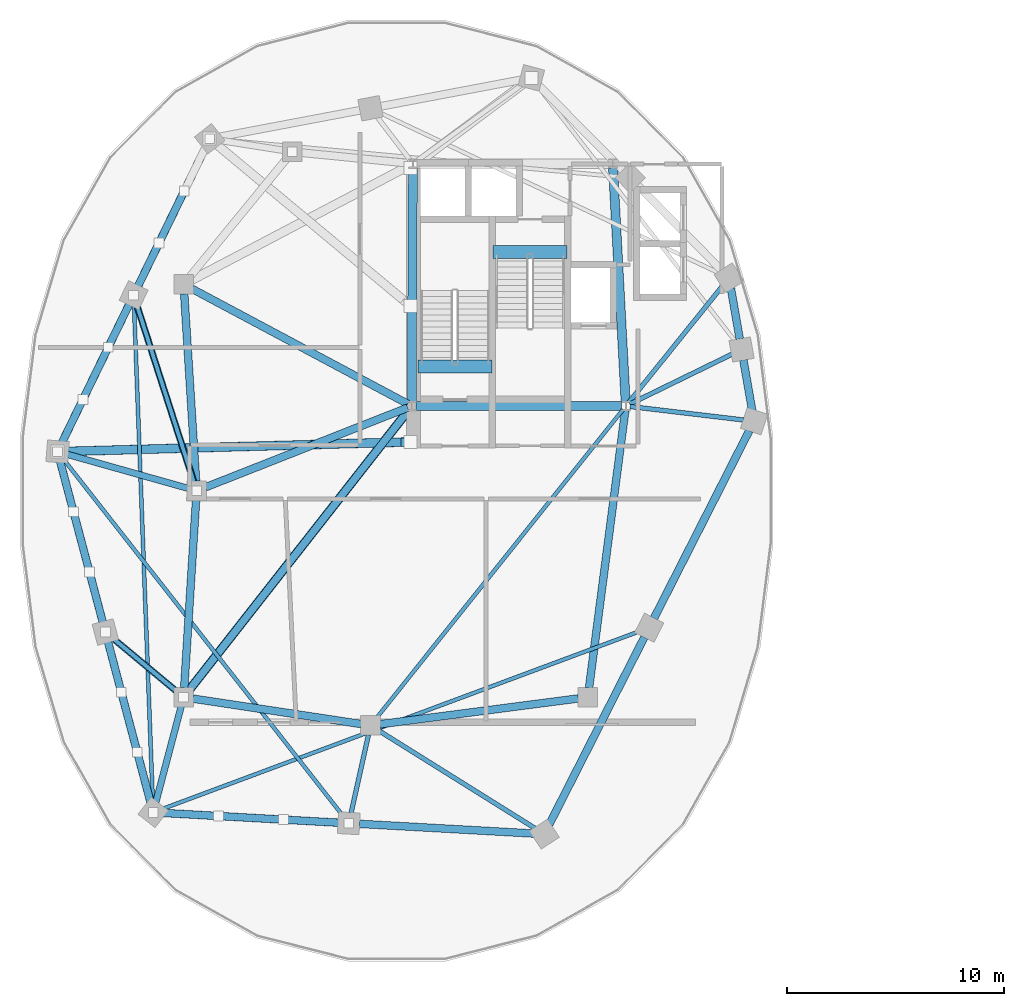
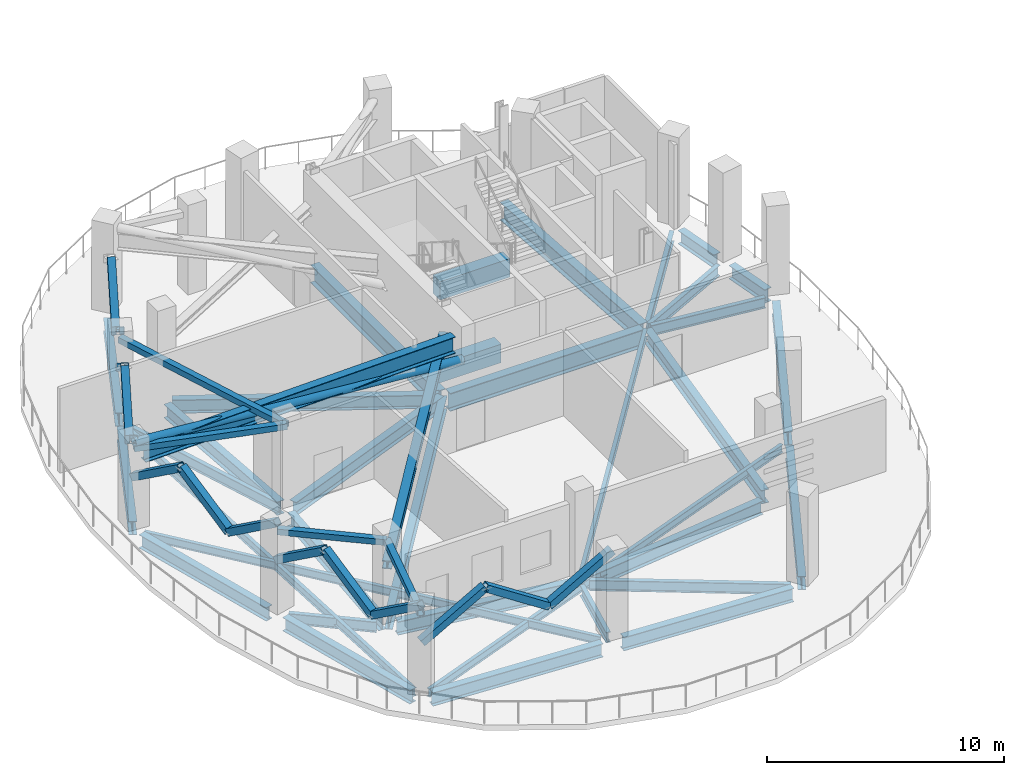
# One storey, part 3 of 14: 35 beams, 20 members.
"""IFC4 building model written with IfcOpenShell, lengths in metres."""

import ifcopenshell
import ifcopenshell.guid

model = None  # the IFC model being written
_history = None  # IfcOwnerHistory: only IFC2X3 demands one
_inside = {}  # id of a spatial element -> (the spatial element, [elements in it])
_under = {}  # id of a project, library or spatial element -> (it, [spatial elements below it])
_declared = {}  # id of a project -> (the project, [libraries it declares])
_typed = {}  # id of a type object -> (the type object, [elements of that type])
_made_of = {}  # id of a material, layer set ... -> (it, [elements and type objects made of it])


def new_model(schema):
    """Start an empty IFC model of exactly this schema.

    Asked for "IFC4X3", IfcOpenShell would pick the latest addendum, in which some entities
    have other attributes; the version numbers below select the first issue.
    IFC2X3 requires an IfcOwnerHistory on every rooted entity: one is made here for all.
    """
    global model, _history
    if schema == "IFC4X3":
        model = ifcopenshell.file(schema_version=(4, 3, 0, 0))
    else:
        model = ifcopenshell.file(schema=schema)
    _inside.clear()
    _under.clear()
    _declared.clear()
    _typed.clear()
    _made_of.clear()
    _history = None
    if model.schema == "IFC2X3":
        org = make("IfcOrganization", Name="unknown")
        user = make(
            "IfcPersonAndOrganization",
            ThePerson=make("IfcPerson", FamilyName="unknown"),
            TheOrganization=org,
        )
        app = make(
            "IfcApplication",
            ApplicationDeveloper=org,
            Version="unknown",
            ApplicationFullName="unknown",
            ApplicationIdentifier="unknown",
        )
        _history = make(
            "IfcOwnerHistory",
            OwningUser=user,
            OwningApplication=app,
            ChangeAction="ADDED",
            CreationDate=0,
        )
    return model


def make(cls, **values):
    """One entity of the class cls with the attributes given. An attribute that is None is left unset."""
    return model.create_entity(
        cls, **{name: value for name, value in values.items() if value is not None}
    )


def rooted(cls, **values):
    """An entity with a GlobalId (a new one), such as an element, a storey or a relation."""
    return make(cls, GlobalId=ifcopenshell.guid.new(), OwnerHistory=_history, **values)


def si_unit(unit_type, name, prefix=None):
    """IfcSIUnit, for example si_unit("LENGTHUNIT", "METRE", prefix="MILLI")."""
    return make("IfcSIUnit", UnitType=unit_type, Prefix=prefix, Name=name)


def assignment(units):
    """IfcUnitAssignment: the units of a project."""
    return None if units is None else make("IfcUnitAssignment", Units=units)


def point(xyz):
    """IfcCartesianPoint."""
    return None if xyz is None else make("IfcCartesianPoint", Coordinates=xyz)


def direction(xyz):
    """IfcDirection."""
    return None if xyz is None else make("IfcDirection", DirectionRatios=xyz)


def frame(location, z_axis=None, x_axis=None):
    """IfcAxis2Placement3D, a coordinate frame: its origin and axes. An axis left out is left unset."""
    return make(
        "IfcAxis2Placement3D",
        Location=point(location),
        Axis=direction(z_axis),
        RefDirection=direction(x_axis),
    )


def frame_2d(location, x_axis=None):
    """IfcAxis2Placement2D, a coordinate frame in the plane: its origin and x axis."""
    return make(
        "IfcAxis2Placement2D", Location=point(location), RefDirection=direction(x_axis)
    )


def origin():
    """The frame at (0, 0, 0) with its axes left unset."""
    return frame((0.0, 0.0, 0.0))


def origin_2d():
    """The frame at (0, 0) in the plane with its x axis left unset."""
    return frame_2d((0.0, 0.0))


def place(relative_to, where):
    """IfcLocalPlacement: puts the frame where relative to a parent placement (None: the world)."""
    return make(
        "IfcLocalPlacement", PlacementRelTo=relative_to, RelativePlacement=where
    )


def context(
    kind, dimensions, precision=None, world=None, true_north=None, identifier=None
):
    """IfcGeometricRepresentationContext, for example the 3D "Model" context."""
    return make(
        "IfcGeometricRepresentationContext",
        ContextIdentifier=identifier,
        ContextType=kind,
        CoordinateSpaceDimension=dimensions,
        Precision=precision,
        WorldCoordinateSystem=world,
        TrueNorth=true_north,
    )


def subcontext(parent, identifier, kind, view, scale=None):
    """IfcGeometricRepresentationSubContext, for example "Body" below "Model"."""
    return make(
        "IfcGeometricRepresentationSubContext",
        ContextIdentifier=identifier,
        ContextType=kind,
        ParentContext=parent,
        TargetScale=scale,
        TargetView=view,
    )


def project(units=None, contexts=None):
    """IfcProject with its units and contexts."""
    return rooted(
        "IfcProject",
        Name="project",
        RepresentationContexts=contexts,
        UnitsInContext=assignment(units),
    )


def spatial(cls, under=None, at=None, **own):
    """A site, building, storey or space (cls), placed at a placement, below another one or the project."""
    s = rooted(cls, ObjectPlacement=at, **own)
    if under is not None:
        _under.setdefault(under.id(), (under, []))[1].append(s)
    return s


def profile(cls, at=None, kind="AREA", **sizes):
    """A parametric profile (cls). Its sizes go by their IFC names, for example OverallWidth=200.0."""
    return make(cls, ProfileType=kind, Position=at, **sizes)


def rectangle(**sizes):
    """IfcRectangleProfileDef."""
    return profile("IfcRectangleProfileDef", **sizes)


def hollow_rectangle(**sizes):
    """IfcRectangleHollowProfileDef."""
    return profile("IfcRectangleHollowProfileDef", **sizes)


def hollow_circle(**sizes):
    """IfcCircleHollowProfileDef."""
    return profile("IfcCircleHollowProfileDef", **sizes)


def i_section(**sizes):
    """IfcIShapeProfileDef."""
    return profile("IfcIShapeProfileDef", **sizes)


def extrude(swept, where, along, depth):
    """IfcExtrudedAreaSolid: the profile swept, set in the frame where, extruded along a direction by depth."""
    return make(
        "IfcExtrudedAreaSolid",
        SweptArea=swept,
        Position=where,
        ExtrudedDirection=direction(along),
        Depth=depth,
    )


def shape(context_of_items, identifier, shape_type, items):
    """IfcShapeRepresentation: the items that make up one representation, for example the "Body"."""
    return make(
        "IfcShapeRepresentation",
        ContextOfItems=context_of_items,
        RepresentationIdentifier=identifier,
        RepresentationType=shape_type,
        Items=items,
    )


def material(Name=None, Category=None):
    """IfcMaterial."""
    return make("IfcMaterial", Name=Name, Category=Category)


def material_profile(
    of_material, cross_section, Name=None, Category=None, Priority=None
):
    """IfcMaterialProfile: a cross section and its material."""
    return make(
        "IfcMaterialProfile",
        Name=Name,
        Material=of_material,
        Profile=cross_section,
        Priority=Priority,
        Category=Category,
    )


def profile_set(profiles, Name=None, composite=None):
    """IfcMaterialProfileSet."""
    return make(
        "IfcMaterialProfileSet",
        Name=Name,
        MaterialProfiles=profiles,
        CompositeProfile=composite,
    )


def made_of(thing, what):
    """Note that an element or type object is made of a material, layer set ...; save() writes the relation."""
    if what is not None:
        _made_of.setdefault(what.id(), (what, []))[1].append(thing)
    return thing


def type_object(cls, material=None, **own):
    """A type object (cls), such as IfcWallType, which elements share."""
    return made_of(rooted(cls, **own), material)


def element(
    cls,
    number,
    at=None,
    inside=None,
    cuts=None,
    type_object=None,
    material=None,
    context=None,
    identifier="Body",
    shape_type=None,
    held_by="IfcProductDefinitionShape",
    body=None,
    shapes=None,
    **own,
):
    """One element of the class cls, such as IfcWall. Its Tag is "e" and its number.

    at: its placement. inside: the storey or other place that contains it. cuts: it is an
    opening in that element (IfcRelVoidsElement). A single representation is given by context,
    identifier, shape_type and body (its items); several are given by shapes. held_by: the class
    of the entity that holds the representations. save() writes the other relations.
    """
    e = rooted(cls, Tag="e%d" % number, ObjectPlacement=at, **own)
    if body is not None:
        shapes = [shape(context, identifier, shape_type, body)]
    if shapes is not None:
        e.Representation = make(held_by, Representations=shapes)
    if inside is not None:
        _inside.setdefault(inside.id(), (inside, []))[1].append(e)
    if cuts is not None:
        rooted(
            "IfcRelVoidsElement", RelatingBuildingElement=cuts, RelatedOpeningElement=e
        )
    if type_object is not None:
        _typed.setdefault(type_object.id(), (type_object, []))[1].append(e)
    return made_of(e, material)


def aggregate(whole, parts):
    """IfcRelAggregates: a whole, such as a stair, and the parts it consists of."""
    return rooted("IfcRelAggregates", RelatingObject=whole, RelatedObjects=parts)


def save(model, path):
    """Write the relations noted so far, then the file.

    IfcRelAggregates (storeys below a building ...), IfcRelContainedInSpatialStructure (elements
    in a storey), IfcRelDefinesByType, IfcRelAssociatesMaterial and IfcRelDeclares: one each for
    every whole, place, type object, material and project.
    """
    for whole, parts in _under.values():
        aggregate(whole, parts)
    for where, things in _inside.values():
        rooted(
            "IfcRelContainedInSpatialStructure",
            RelatedElements=things,
            RelatingStructure=where,
        )
    for kind, things in _typed.values():
        rooted("IfcRelDefinesByType", RelatedObjects=things, RelatingType=kind)
    for what, things in _made_of.values():
        rooted("IfcRelAssociatesMaterial", RelatedObjects=things, RelatingMaterial=what)
    for by, libraries in _declared.values():
        rooted("IfcRelDeclares", RelatingContext=by, RelatedDefinitions=libraries)
    model.write(path)


model = new_model("IFC4")

# Units and contexts
model_context = context("Model", 3, precision=1e-05, world=origin(), true_north=direction((0.0, 1.0)))
body_context = subcontext(model_context, "Body", "Model", "MODEL_VIEW")
ifc_project = project(units=[si_unit("LENGTHUNIT", "METRE"), si_unit("AREAUNIT", "SQUARE_METRE"), si_unit("VOLUMEUNIT", "CUBIC_METRE"), si_unit("PLANEANGLEUNIT", "RADIAN"), si_unit("MASSUNIT", "GRAM", prefix="KILO"), si_unit("THERMODYNAMICTEMPERATUREUNIT", "KELVIN"), si_unit("POWERUNIT", "WATT")], contexts=[model_context])

# Site, building, storey
site_placement = place(None, origin())
site = spatial("IfcSite", under=ifc_project, at=site_placement, CompositionType="ELEMENT")
building_placement = place(site_placement, origin())
building = spatial("IfcBuilding", under=site, at=building_placement, Name="Cundina Bronze Exchange", CompositionType="ELEMENT")
storey_placement = place(building_placement, frame((0.0, 0.0, 187.199951171875)))
storey = spatial("IfcBuildingStorey", under=building, at=storey_placement, Name="L49", CompositionType="ELEMENT", Elevation=187.199951171875)

# Beams
ifc_material_1 = material(Name="Concrete C60/75", Category="concrete")
ifc_material_profile_1 = material_profile(ifc_material_1, rectangle(XDim=0.60009765625, YDim=0.949951171875, at=origin_2d()), Name="RC600X950", Category="concrete")
ifc_profile_set_1 = profile_set([ifc_material_profile_1], Name="Concrete C60/75")
beam_type_1 = type_object("IfcBeamType", Name="BM-COUP-RC950", PredefinedType="LINTEL", material=ifc_profile_set_1)
beam_1_placement = place(storey_placement, frame((-31.02001953125, 5.719970703125, -0.474853515625), z_axis=(1.0, 0.0, 0.0), x_axis=(0.0, 1.0, 0.0)))
element("IfcBeam", 1, at=beam_1_placement, inside=storey, type_object=beam_type_1, Name="L49 Stair W1 Landing Header Beam", PredefinedType="LINTEL", context=body_context, shape_type="SweptSolid", body=[
    extrude(rectangle(XDim=0.60009765625, YDim=0.949951171875, at=origin_2d()), origin(), (0.0, 0.0, 1.0), 3.39990234375),
])
beam_2_placement = place(storey_placement, frame((-27.56005859375, 10.97998046875, -0.474853515625), z_axis=(1.0, 0.0, 0.0), x_axis=(0.0, 1.0, 0.0)))
element("IfcBeam", 2, at=beam_2_placement, inside=storey, type_object=beam_type_1, Name="L49 Stair W2 Landing Header Beam", PredefinedType="LINTEL", context=body_context, shape_type="SweptSolid", body=[
    extrude(rectangle(XDim=0.60009765625, YDim=0.949951171875, at=origin_2d()), origin(), (0.0, 0.0, 1.0), 3.400146484375),
])
ifc_material_2 = material(Name="Steel ASTM A992 Grade 50", Category="steel")
ifc_material_profile_2 = material_profile(ifc_material_2, i_section(OverallWidth=0.2119140625, OverallDepth=0.5439453125, WebThickness=0.01318359375, FlangeThickness=0.021240234375, FilletRadius=0.013916015625, at=origin_2d()), Name="W21X83", Category="steel")
ifc_profile_set_2 = profile_set([ifc_material_profile_2], Name="Steel ASTM A992 Grade 50")
beam_type_2 = type_object("IfcBeamType", Name="BM-FLR-W21A", PredefinedType="BEAM", material=ifc_profile_set_2)
beam_3_placement = place(storey_placement, frame((-21.247314453125, 3.8759765625, -0.552001953125), z_axis=(0.993036158382, -0.11780996624, 0.0), x_axis=(0.11780996624, 0.993036158382, 0.0)))
element("IfcBeam", 3, at=beam_3_placement, inside=storey, type_object=beam_type_2, Name="L49 Leg W Radial Floor Beam 00", PredefinedType="BEAM", context=body_context, shape_type="SweptSolid", body=[
    extrude(i_section(OverallWidth=0.2119140625, OverallDepth=0.5439453125, WebThickness=0.01318359375, FlangeThickness=0.021240234375, FilletRadius=0.013916015625, at=origin_2d()), origin(), (0.0, 0.0, 1.0), 5.249267578125),
])
beam_4_placement = place(storey_placement, frame((-21.2666015625, 3.989501953125, -0.552001953125), z_axis=(0.898604300669, 0.438759969481, 0.0), x_axis=(-0.438759969481, 0.898604300669, 0.0)))
element("IfcBeam", 4, at=beam_4_placement, inside=storey, type_object=beam_type_2, Name="L49 Leg W Radial Floor Beam 01", PredefinedType="BEAM", context=body_context, shape_type="SweptSolid", body=[
    extrude(i_section(OverallWidth=0.2119140625, OverallDepth=0.5439453125, WebThickness=0.01318359375, FlangeThickness=0.021240234375, FilletRadius=0.013916015625, at=origin_2d()), origin(), (0.0, 0.0, 1.0), 5.23388671875),
])
beam_5_placement = place(storey_placement, frame((-21.322021484375, 4.058837890625, -0.552001953125), z_axis=(0.627088684379, 0.778947868553, 0.0), x_axis=(-0.778947868553, 0.627088684379, 0.0)))
element("IfcBeam", 5, at=beam_5_placement, inside=storey, type_object=beam_type_2, Name="L49 Leg W Radial Floor Beam 02", PredefinedType="BEAM", context=body_context, shape_type="SweptSolid", body=[
    extrude(i_section(OverallWidth=0.2119140625, OverallDepth=0.5439453125, WebThickness=0.01318359375, FlangeThickness=0.021240234375, FilletRadius=0.013916015625, at=origin_2d()), origin(), (0.0, 0.0, 1.0), 6.882568359375),
])
beam_6_placement = place(storey_placement, frame((-41.334228515625, 0.4169921875, -0.552001953125), z_axis=(-0.30669751302, 0.951807036908, 0.0), x_axis=(-0.951807036908, -0.30669751302, 0.0)))
element("IfcBeam", 6, at=beam_6_placement, inside=storey, type_object=beam_type_2, Name="L49 Leg W Radial Floor Beam 07", PredefinedType="BEAM", context=body_context, shape_type="SweptSolid", body=[
    extrude(i_section(OverallWidth=0.2119140625, OverallDepth=0.5439453125, WebThickness=0.01318359375, FlangeThickness=0.021240234375, FilletRadius=0.013916015625, at=origin_2d()), origin(), (0.0, 0.0, 1.0), 8.529541015625),
])
beam_7_placement = place(storey_placement, frame((-42.136474609375, -9.219482421875, -0.552001953125), z_axis=(-0.768253211489, 0.640146079451, 0.0), x_axis=(-0.640146079451, -0.768253211489, 0.0)))
element("IfcBeam", 7, at=beam_7_placement, inside=storey, type_object=beam_type_2, Name="L49 Leg W Radial Floor Beam 09", PredefinedType="BEAM", context=body_context, shape_type="SweptSolid", body=[
    extrude(i_section(OverallWidth=0.2119140625, OverallDepth=0.5439453125, WebThickness=0.01318359375, FlangeThickness=0.021240234375, FilletRadius=0.013916015625, at=origin_2d()), origin(), (0.0, 0.0, 1.0), 3.760009765625),
])
beam_8_placement = place(storey_placement, frame((-33.294921875, -11.2275390625, -0.552001953125), z_axis=(-0.216923440287, -0.976188619609, 0.0), x_axis=(0.976188619609, -0.216923440287, 0.0)))
element("IfcBeam", 8, at=beam_8_placement, inside=storey, type_object=beam_type_2, Name="L49 Leg W Radial Floor Beam 11", PredefinedType="BEAM", context=body_context, shape_type="SweptSolid", body=[
    extrude(i_section(OverallWidth=0.2119140625, OverallDepth=0.5439453125, WebThickness=0.01318359375, FlangeThickness=0.021240234375, FilletRadius=0.013916015625, at=origin_2d()), origin(), (0.0, 0.0, 1.0), 3.68359375),
])
beam_9_placement = place(storey_placement, frame((-32.82861328125, -11.031982421875, -0.552001953125), z_axis=(0.847985407265, -0.530019574228, 0.0), x_axis=(0.530019574228, 0.847985407265, 0.0)))
element("IfcBeam", 9, at=beam_9_placement, inside=storey, type_object=beam_type_2, Name="L49 Leg W Radial Floor Beam 12", PredefinedType="BEAM", context=body_context, shape_type="SweptSolid", body=[
    extrude(i_section(OverallWidth=0.2119140625, OverallDepth=0.5439453125, WebThickness=0.01318359375, FlangeThickness=0.021240234375, FilletRadius=0.013916015625, at=origin_2d()), origin(), (0.0, 0.0, 1.0), 8.50830078125),
])
ifc_material_profile_3 = material_profile(ifc_material_2, i_section(OverallWidth=0.178955078125, OverallDepth=0.409912109375, WebThickness=0.0087890625, FlangeThickness=0.014404296875, FilletRadius=0.010986328125, at=origin_2d()), Name="W16X45", Category="steel")
ifc_profile_set_3 = profile_set([ifc_material_profile_3], Name="Steel ASTM A992 Grade 50")
beam_type_3 = type_object("IfcBeamType", Name="BM-JST-W16", PredefinedType="JOIST", material=ifc_profile_set_3)
beam_10_placement = place(storey_placement, frame((-21.577392578125, 3.740478515625, -0.48486328125), z_axis=(-0.624370675223, -0.781128196854, 0.0), x_axis=(0.781128196854, -0.624370675223, 0.0)))
element("IfcBeam", 10, at=beam_10_placement, inside=storey, type_object=beam_type_3, Name="L49 W Interior Core-to-Ring Joist 2", PredefinedType="JOIST", context=body_context, shape_type="SweptSolid", body=[
    extrude(i_section(OverallWidth=0.178955078125, OverallDepth=0.409912109375, WebThickness=0.0087890625, FlangeThickness=0.014404296875, FilletRadius=0.010986328125, at=origin_2d()), origin(), (0.0, 0.0, 1.0), 18.177001953125),
])
beam_11_placement = place(storey_placement, frame((-44.08154296875, 8.51220703125, -0.48486328125), z_axis=(0.037784933381, -0.999285894431, 0.0), x_axis=(0.999285894431, 0.037784933381, 0.0)))
element("IfcBeam", 11, at=beam_11_placement, inside=storey, type_object=beam_type_3, Name="L49 Leg W Lobe Floor Joist 07-10", PredefinedType="JOIST", context=body_context, shape_type="SweptSolid", body=[
    extrude(i_section(OverallWidth=0.178955078125, OverallDepth=0.409912109375, WebThickness=0.0087890625, FlangeThickness=0.014404296875, FilletRadius=0.010986328125, at=origin_2d()), origin(), (0.0, 0.0, 1.0), 22.8408203125),
])
beam_12_placement = place(storey_placement, frame((-47.299072265625, 1.416015625, -0.48486328125), z_axis=(0.616801484103, -0.787118751656, 0.0), x_axis=(0.787118751656, 0.616801484103, 0.0)))
element("IfcBeam", 12, at=beam_12_placement, inside=storey, type_object=beam_type_3, Name="L49 Leg W Lobe Floor Joist 08-11", PredefinedType="JOIST", context=body_context, shape_type="SweptSolid", body=[
    extrude(i_section(OverallWidth=0.178955078125, OverallDepth=0.409912109375, WebThickness=0.0087890625, FlangeThickness=0.014404296875, FilletRadius=0.010986328125, at=origin_2d()), origin(), (0.0, 0.0, 1.0), 20.7490234375),
])
beam_13_placement = place(storey_placement, frame((-42.74267578125, -14.629638671875, -0.48486328125), z_axis=(0.937127922351, 0.348986041483, 0.0), x_axis=(-0.348986041483, 0.937127922351, 0.0)))
element("IfcBeam", 13, at=beam_13_placement, inside=storey, type_object=beam_type_3, Name="L49 Leg W Lobe Floor Joist 10-13", PredefinedType="JOIST", context=body_context, shape_type="SweptSolid", body=[
    extrude(i_section(OverallWidth=0.178955078125, OverallDepth=0.409912109375, WebThickness=0.0087890625, FlangeThickness=0.014404296875, FilletRadius=0.010986328125, at=origin_2d()), origin(), (0.0, 0.0, 1.0), 23.38037109375),
])
ifc_material_profile_4 = material_profile(ifc_material_2, i_section(OverallWidth=0.39990234375, OverallDepth=0.85498046875, WebThickness=0.018310546875, FlangeThickness=0.029296875, FilletRadius=0.02001953125, at=origin_2d()), Name="W33X201", Category="steel")
ifc_profile_set_4 = profile_set([ifc_material_profile_4], Name="Steel ASTM A992 Grade 50")
beam_type_4 = type_object("IfcBeamType", Name="BM-OUT-W33", PredefinedType="USERDEFINED", material=ifc_profile_set_4)
beam_14_placement = place(storey_placement, frame((-31.7998046875, 2.237548828125, 3.462646484375), z_axis=(-0.999616727371, -0.027683900756, 0.0), x_axis=(0.027683900756, -0.999616727371, 0.0)))
element("IfcBeam", 14, at=beam_14_placement, inside=storey, type_object=beam_type_4, Name="L49 W Outrigger Upper Tie Chord 3", ObjectType="GIRDER", PredefinedType="USERDEFINED", context=body_context, shape_type="SweptSolid", body=[
    extrude(i_section(OverallWidth=0.39990234375, OverallDepth=0.85498046875, WebThickness=0.018310546875, FlangeThickness=0.029296875, FilletRadius=0.02001953125, at=origin_2d()), origin(), (0.0, 0.0, 1.0), 15.318359375),
])
ifc_material_profile_5 = material_profile(ifc_material_2, i_section(OverallWidth=0.35498046875, OverallDepth=0.695068359375, WebThickness=0.015380859375, FlangeThickness=0.02490234375, FilletRadius=0.01806640625, at=origin_2d()), Name="W27X146", Category="steel")
ifc_profile_set_5 = profile_set([ifc_material_profile_5], Name="Steel ASTM A992 Grade 50")
beam_type_5 = type_object("IfcBeamType", Name="BM-RING-W27", PredefinedType="USERDEFINED", material=ifc_profile_set_5)
for number, where, z_axis, x_axis, name in (
    (15, (-41.7724609375, 9.06298828125, -0.62744140625), (0.063046519736, -0.998010589297, 0.0), (0.998010589297, 0.063046519736, 0.0), "L49 W Inner Structural Ring Girder 03"),
    (16, (-41.2275390625, -0.43701171875, -0.62744140625), (-0.063046519736, -0.998010589297, 0.0), (0.998010589297, -0.063046519736, 0.0), "L49 W Inner Structural Ring Girder 04"),
):
    element("IfcBeam", number, at=place(storey_placement, frame(where, z_axis=z_axis, x_axis=x_axis)), inside=storey, type_object=beam_type_5, Name=name, ObjectType="GIRDER", PredefinedType="USERDEFINED", context=body_context, shape_type="SweptSolid", body=[
        extrude(i_section(OverallWidth=0.35498046875, OverallDepth=0.695068359375, WebThickness=0.015380859375, FlangeThickness=0.02490234375, FilletRadius=0.01806640625, at=origin_2d()), origin(), (0.0, 0.0, 1.0), 8.64306640625),
    ])
beam_15_placement = place(storey_placement, frame((-41.366943359375, -9.5654296875, -0.62744140625), z_axis=(0.988764903598, -0.149478979839, 0.0), x_axis=(0.149478979839, 0.988764903598, 0.0)))
element("IfcBeam", 17, at=beam_15_placement, inside=storey, type_object=beam_type_5, Name="L49 W Inner Structural Ring Girder 05", ObjectType="GIRDER", PredefinedType="USERDEFINED", context=body_context, shape_type="SweptSolid", body=[
    extrude(i_section(OverallWidth=0.35498046875, OverallDepth=0.695068359375, WebThickness=0.015380859375, FlangeThickness=0.02490234375, FilletRadius=0.01806640625, at=origin_2d()), origin(), (0.0, 0.0, 1.0), 7.82177734375),
])
beam_16_placement = place(storey_placement, frame((-32.765625, -10.743408203125, -0.62744140625), z_axis=(0.991656498582, 0.128908451316, 0.0), x_axis=(-0.128908451316, 0.991656498582, 0.0)))
element("IfcBeam", 18, at=beam_16_placement, inside=storey, type_object=beam_type_5, Name="L49 W Inner Structural Ring Girder 06", ObjectType="GIRDER", PredefinedType="USERDEFINED", context=body_context, shape_type="SweptSolid", body=[
    extrude(i_section(OverallWidth=0.35498046875, OverallDepth=0.695068359375, WebThickness=0.015380859375, FlangeThickness=0.02490234375, FilletRadius=0.01806640625, at=origin_2d()), origin(), (0.0, 0.0, 1.0), 9.208251953125),
])
beam_17_placement = place(storey_placement, frame((-23.143310546875, -9.065673828125, -0.62744140625), z_axis=(0.129507030047, 0.991578503785, 0.0), x_axis=(-0.991578503785, 0.129507030047, 0.0)))
element("IfcBeam", 19, at=beam_17_placement, inside=storey, type_object=beam_type_5, Name="L49 W Inner Structural Ring Girder 07", ObjectType="GIRDER", PredefinedType="USERDEFINED", context=body_context, shape_type="SweptSolid", body=[
    extrude(i_section(OverallWidth=0.35498046875, OverallDepth=0.695068359375, WebThickness=0.015380859375, FlangeThickness=0.02490234375, FilletRadius=0.01806640625, at=origin_2d()), origin(), (0.0, 0.0, 1.0), 12.871826171875),
])
beam_18_placement = place(storey_placement, frame((-31.48974609375, 3.8251953125, -0.62744140625), z_axis=(-0.930405617189, -0.36653156413, 0.0), x_axis=(0.36653156413, -0.930405617189, 0.0)))
element("IfcBeam", 20, at=beam_18_placement, inside=storey, type_object=beam_type_5, Name="L49 W Core-to-Waist Tie Beam 1", ObjectType="GIRDER", PredefinedType="USERDEFINED", context=body_context, shape_type="SweptSolid", body=[
    extrude(i_section(OverallWidth=0.35498046875, OverallDepth=0.695068359375, WebThickness=0.015380859375, FlangeThickness=0.02490234375, FilletRadius=0.01806640625, at=origin_2d()), origin(), (0.0, 0.0, 1.0), 9.99853515625),
])
beam_19_placement = place(storey_placement, frame((-31.47998046875, 3.99609375, -0.62744140625), z_axis=(-0.88235534237, 0.470583733028, 0.0), x_axis=(-0.470583733028, -0.88235534237, 0.0)))
element("IfcBeam", 21, at=beam_19_placement, inside=storey, type_object=beam_type_5, Name="L49 W Core-to-Waist Tie Beam 2", ObjectType="GIRDER", PredefinedType="USERDEFINED", context=body_context, shape_type="SweptSolid", body=[
    extrude(i_section(OverallWidth=0.35498046875, OverallDepth=0.695068359375, WebThickness=0.015380859375, FlangeThickness=0.02490234375, FilletRadius=0.01806640625, at=origin_2d()), origin(), (0.0, 0.0, 1.0), 11.258056640625),
])
beam_20_placement = place(storey_placement, frame((-31.42578125, 3.739501953125, -0.62744140625), z_axis=(-0.616779109924, -0.787136283982, 0.0), x_axis=(0.787136283982, -0.616779109924, 0.0)))
element("IfcBeam", 22, at=beam_20_placement, inside=storey, type_object=beam_type_5, Name="L49 W Core-to-Waist Tie Beam 3", ObjectType="GIRDER", PredefinedType="USERDEFINED", context=body_context, shape_type="SweptSolid", body=[
    extrude(i_section(OverallWidth=0.35498046875, OverallDepth=0.695068359375, WebThickness=0.015380859375, FlangeThickness=0.02490234375, FilletRadius=0.01806640625, at=origin_2d()), origin(), (0.0, 0.0, 1.0), 16.3818359375),
])
for number, where, z_axis, x_axis, name in (
    (23, (-15.6337890625, 3.680908203125, -0.62744140625), (-0.171666718895, 0.985155083032, 0.0), (-0.985155083032, -0.171666718895, 0.0), "L49 W Perimeter Ring Girder 00"),
    (24, (-16.208740234375, 6.980712890625, -0.62744140625), (-0.171666718895, 0.985155083032, 0.0), (-0.985155083032, -0.171666718895, 0.0), "L49 W Perimeter Ring Girder 01"),
):
    element("IfcBeam", number, at=place(storey_placement, frame(where, z_axis=z_axis, x_axis=x_axis)), inside=storey, type_object=beam_type_5, Name=name, ObjectType="GIRDER", PredefinedType="USERDEFINED", context=body_context, shape_type="SweptSolid", body=[
        extrude(i_section(OverallWidth=0.35498046875, OverallDepth=0.695068359375, WebThickness=0.015380859375, FlangeThickness=0.02490234375, FilletRadius=0.01806640625, at=origin_2d()), origin(), (0.0, 0.0, 1.0), 2.37353515625),
    ])
for number, where, z_axis, x_axis, name in (
    (25, (-40.8134765625, 15.760986328125, -0.62744140625), (-0.437196998825, -0.89936576776, 0.0), (0.89936576776, -0.437196998825, 0.0), "L49 W Perimeter Ring Girder 06"),
    (26, (-44.3134765625, 8.56103515625, -0.62744140625), (-0.437196998825, -0.89936576776, 0.0), (0.89936576776, -0.437196998825, 0.0), "L49 W Perimeter Ring Girder 07"),
):
    element("IfcBeam", number, at=place(storey_placement, frame(where, z_axis=z_axis, x_axis=x_axis)), inside=storey, type_object=beam_type_5, Name=name, ObjectType="GIRDER", PredefinedType="USERDEFINED", context=body_context, shape_type="SweptSolid", body=[
        extrude(i_section(OverallWidth=0.35498046875, OverallDepth=0.695068359375, WebThickness=0.015380859375, FlangeThickness=0.02490234375, FilletRadius=0.01806640625, at=origin_2d()), origin(), (0.0, 0.0, 1.0), 7.029541015625),
    ])
for number, where, z_axis, x_axis, name in (
    (27, (-47.47509765625, 1.328369140625, -0.62744140625), (0.256240814108, -0.966612975904, 0.0), (0.966612975904, 0.256240814108, 0.0), "L49 W Perimeter Ring Girder 08"),
    (28, (-45.27490234375, -6.9716796875, -0.62744140625), (0.256210841755, -0.96662092082, 0.0), (0.96662092082, 0.256210841755, 0.0), "L49 W Perimeter Ring Girder 09"),
):
    element("IfcBeam", number, at=place(storey_placement, frame(where, z_axis=z_axis, x_axis=x_axis)), inside=storey, type_object=beam_type_5, Name=name, ObjectType="GIRDER", PredefinedType="USERDEFINED", context=body_context, shape_type="SweptSolid", body=[
        extrude(i_section(OverallWidth=0.35498046875, OverallDepth=0.695068359375, WebThickness=0.015380859375, FlangeThickness=0.02490234375, FilletRadius=0.01806640625, at=origin_2d()), origin(), (0.0, 0.0, 1.0), 7.61083984375),
    ])
for number, where, z_axis, x_axis, name in (
    (29, (-42.712890625, -14.8271484375, -0.62744140625), (0.998460820451, -0.055461608559, 0.0), (0.055461608559, 0.998460820451, 0.0), "L49 W Perimeter Ring Girder 10"),
    (30, (-33.712890625, -15.3271484375, -0.62744140625), (0.998460820451, -0.055461608559, 0.0), (0.055461608559, 0.998460820451, 0.0), "L49 W Perimeter Ring Girder 11"),
):
    element("IfcBeam", number, at=place(storey_placement, frame(where, z_axis=z_axis, x_axis=x_axis)), inside=storey, type_object=beam_type_5, Name=name, ObjectType="GIRDER", PredefinedType="USERDEFINED", context=body_context, shape_type="SweptSolid", body=[
        extrude(i_section(OverallWidth=0.35498046875, OverallDepth=0.695068359375, WebThickness=0.015380859375, FlangeThickness=0.02490234375, FilletRadius=0.01806640625, at=origin_2d()), origin(), (0.0, 0.0, 1.0), 8.0380859375),
    ])
for number, where, z_axis, x_axis, name in (
    (31, (-24.97900390625, -15.364990234375, -0.62744140625), (0.452834585354, 0.891594548159, 0.0), (-0.891594548159, 0.452834585354, 0.0), "L49 W Perimeter Ring Girder 12"),
    (32, (-20.154052734375, -5.864990234375, -0.62744140625), (0.452834585354, 0.891594548159, 0.0), (-0.891594548159, 0.452834585354, 0.0), "L49 W Perimeter Ring Girder 13"),
):
    element("IfcBeam", number, at=place(storey_placement, frame(where, z_axis=z_axis, x_axis=x_axis)), inside=storey, type_object=beam_type_5, Name=name, ObjectType="GIRDER", PredefinedType="USERDEFINED", context=body_context, shape_type="SweptSolid", body=[
        extrude(i_section(OverallWidth=0.35498046875, OverallDepth=0.695068359375, WebThickness=0.015380859375, FlangeThickness=0.02490234375, FilletRadius=0.01806640625, at=origin_2d()), origin(), (0.0, 0.0, 1.0), 9.67919921875),
    ])
ifc_material_profile_6 = material_profile(ifc_material_2, i_section(OverallWidth=0.41796875, OverallDepth=0.927001953125, WebThickness=0.019287109375, FlangeThickness=0.031982421875, FilletRadius=0.02392578125, at=origin_2d()), Name="W36X231", Category="steel")
ifc_profile_set_6 = profile_set([ifc_material_profile_6], Name="Steel ASTM A992 Grade 50")
beam_type_6 = type_object("IfcBeamType", Name="BM-WRN-W36B", PredefinedType="USERDEFINED", material=ifc_profile_set_6)
beam_21_placement = place(storey_placement, frame((-31.095947265625, 3.89990234375, -0.743408203125), z_axis=(1.0, 0.0, 0.0), x_axis=(0.0, 1.0, 0.0)))
element("IfcBeam", 33, at=beam_21_placement, inside=storey, type_object=beam_type_6, Name="L49 W Core Perimeter Tie Girder 1", ObjectType="GIRDER", PredefinedType="USERDEFINED", context=body_context, shape_type="SweptSolid", body=[
    extrude(i_section(OverallWidth=0.41796875, OverallDepth=0.927001953125, WebThickness=0.019287109375, FlangeThickness=0.031982421875, FilletRadius=0.02392578125, at=origin_2d()), origin(), (0.0, 0.0, 1.0), 9.44189453125),
])
beam_22_placement = place(storey_placement, frame((-21.4609375, 4.103759765625, -0.743408203125), z_axis=(-0.053739193498, 0.998555005537, 0.0), x_axis=(-0.998555005537, -0.053739193498, 0.0)))
element("IfcBeam", 34, at=beam_22_placement, inside=storey, type_object=beam_type_6, Name="L49 W Core Perimeter Tie Girder 2", ObjectType="GIRDER", PredefinedType="USERDEFINED", context=body_context, shape_type="SweptSolid", body=[
    extrude(i_section(OverallWidth=0.41796875, OverallDepth=0.927001953125, WebThickness=0.019287109375, FlangeThickness=0.031982421875, FilletRadius=0.02392578125, at=origin_2d()), origin(), (0.0, 0.0, 1.0), 10.758056640625),
])
beam_23_placement = place(storey_placement, frame((-31.2509765625, 14.845947265625, -0.743408203125), z_axis=(-0.004477329608, -0.99998997671, 0.0), x_axis=(0.99998997671, -0.004477329608, 0.0)))
element("IfcBeam", 35, at=beam_23_placement, inside=storey, type_object=beam_type_6, Name="L49 W Core Perimeter Tie Girder 4", ObjectType="GIRDER", PredefinedType="USERDEFINED", context=body_context, shape_type="SweptSolid", body=[
    extrude(i_section(OverallWidth=0.41796875, OverallDepth=0.927001953125, WebThickness=0.019287109375, FlangeThickness=0.031982421875, FilletRadius=0.02392578125, at=origin_2d()), origin(), (0.0, 0.0, 1.0), 10.741943359375),
])

# Members
ifc_material_3 = material(Name="Steel ASTM A500 Grade C", Category="steel")
ifc_material_profile_7 = material_profile(ifc_material_3, hollow_rectangle(XDim=0.300048828125, YDim=0.300048828125, WallThickness=0.01611328125, at=origin_2d()), Name="HSS300X300X16", Category="steel")
ifc_profile_set_7 = profile_set([ifc_material_profile_7], Name="Steel ASTM A500 Grade C")
member_type_1 = type_object("IfcMemberType", Name="MBR-BLT-HSS300", PredefinedType="STRUT", material=ifc_profile_set_7)
member_1_placement = place(storey_placement, frame((-41.199951171875, 0.0, 3.89013671875), z_axis=(-0.962650641065, 0.270746640342, 0.0), x_axis=(-0.270746640342, -0.962650641065, 0.0)))
element("IfcMember", 36, at=member_1_placement, inside=storey, type_object=member_type_1, Name="L49 W Outrigger Collector Strut 1", PredefinedType="STRUT", context=body_context, shape_type="SweptSolid", body=[
    extrude(hollow_rectangle(XDim=0.300048828125, YDim=0.300048828125, WallThickness=0.01611328125, at=origin_2d()), origin(), (0.0, 0.0, 1.0), 6.6484375),
])
member_2_placement = place(storey_placement, frame((-41.199951171875, 0.0, 3.89013671875), z_axis=(-0.306707801861, 0.951803721509, 0.0), x_axis=(-0.951803721509, -0.306707801861, 0.0)))
element("IfcMember", 37, at=member_2_placement, inside=storey, type_object=member_type_1, Name="L49 W Outrigger Collector Strut 2", PredefinedType="STRUT", context=body_context, shape_type="SweptSolid", body=[
    extrude(hollow_rectangle(XDim=0.300048828125, YDim=0.300048828125, WallThickness=0.01611328125, at=origin_2d()), origin(), (0.0, 0.0, 1.0), 9.455810546875),
])
member_3_placement = place(storey_placement, frame((-41.800048828125, -9.5, 3.89013671875), z_axis=(-0.768208468069, 0.640199773186, 0.0), x_axis=(-0.640199773186, -0.768208468069, 0.0)))
element("IfcMember", 38, at=member_3_placement, inside=storey, type_object=member_type_1, Name="L49 W Outrigger Collector Strut 3", PredefinedType="STRUT", context=body_context, shape_type="SweptSolid", body=[
    extrude(hollow_rectangle(XDim=0.300048828125, YDim=0.300048828125, WallThickness=0.01611328125, at=origin_2d()), origin(), (0.0, 0.0, 1.0), 4.68603515625),
])
member_4_placement = place(storey_placement, frame((-41.800048828125, -9.5, 3.89013671875), z_axis=(-0.255372270734, -0.966842801773, 0.0), x_axis=(0.966842801773, -0.255372270734, 0.0)))
element("IfcMember", 39, at=member_4_placement, inside=storey, type_object=member_type_1, Name="L49 W Outrigger Collector Strut 5", PredefinedType="STRUT", context=body_context, shape_type="SweptSolid", body=[
    extrude(hollow_rectangle(XDim=0.300048828125, YDim=0.300048828125, WallThickness=0.01611328125, at=origin_2d()), origin(), (0.0, 0.0, 1.0), 5.481689453125),
])
ifc_material_profile_8 = material_profile(ifc_material_3, hollow_rectangle(XDim=0.35009765625, YDim=0.35009765625, WallThickness=0.01904296875, at=origin_2d()), Name="HSS350X350X19", Category="steel")
ifc_profile_set_8 = profile_set([ifc_material_profile_8], Name="Steel ASTM A500 Grade C")
member_type_2 = type_object("IfcMemberType", Name="MBR-BLT-HSS350", PredefinedType="BRACE", material=ifc_profile_set_8)
for number, where, z_axis, x_axis, name in (
    (40, (-47.60009765625, 1.800048828125, 2.41015625), (0.213817856199, -0.806657045374, 0.550986692688), (0.966618915213, 0.256218408303, 0.0), "L49 W Perimeter Belt M-Truss Diagonal 1A"),
    (41, (-46.86669921875, -0.966796875, 4.300048828125), (0.213830133282, -0.806632180542, -0.551018329472), (0.966613315255, 0.256239533977, 0.0), "L49 W Perimeter Belt M-Truss Diagonal 1B"),
    (42, (-46.13330078125, -3.7333984375, 2.41015625), (0.213830133282, -0.806632180542, 0.551018329472), (0.966613315255, 0.256239533977, 0.0), "L49 W Perimeter Belt M-Truss Diagonal 1C"),
):
    element("IfcMember", number, at=place(storey_placement, frame(where, z_axis=z_axis, x_axis=x_axis)), inside=storey, type_object=member_type_2, Name=name, PredefinedType="BRACE", context=body_context, shape_type="SweptSolid", body=[
        extrude(hollow_rectangle(XDim=0.35009765625, YDim=0.35009765625, WallThickness=0.01904296875, at=origin_2d()), origin(), (0.0, 0.0, 1.0), 3.429931640625),
    ])
member_5_placement = place(storey_placement, frame((-44.10009765625, 9.0, 2.41015625), z_axis=(-0.356744761223, -0.733947468149, 0.577974298163), x_axis=(0.899384841713, -0.437157759278, 0.0)))
element("IfcMember", 43, at=member_5_placement, inside=storey, type_object=member_type_2, Name="L49 W Perimeter Belt M-Truss Diagonal 2A", PredefinedType="BRACE", context=body_context, shape_type="SweptSolid", body=[
    extrude(hollow_rectangle(XDim=0.35009765625, YDim=0.35009765625, WallThickness=0.01904296875, at=origin_2d()), origin(), (0.0, 0.0, 1.0), 3.269775390625),
])
for number, where, z_axis, x_axis, name in (
    (44, (-45.2666015625, 6.60009765625, 4.300048828125), (-0.356790369056, -0.733962359948, -0.577927233074), (0.899366355353, -0.437195790075, 0.0), "L49 W Perimeter Belt M-Truss Diagonal 2B"),
    (45, (-46.433349609375, 4.199951171875, 2.41015625), (-0.3568099204, -0.733927917458, 0.577958902242), (0.899348867178, -0.437231763606, 0.0), "L49 W Perimeter Belt M-Truss Diagonal 2C"),
):
    element("IfcMember", number, at=place(storey_placement, frame(where, z_axis=z_axis, x_axis=x_axis)), inside=storey, type_object=member_type_2, Name=name, PredefinedType="BRACE", context=body_context, shape_type="SweptSolid", body=[
        extrude(hollow_rectangle(XDim=0.35009765625, YDim=0.35009765625, WallThickness=0.01904296875, at=origin_2d()), origin(), (0.0, 0.0, 1.0), 3.27001953125),
    ])
member_6_placement = place(storey_placement, frame((-45.39990234375, -6.5, 2.41015625), z_axis=(0.213762204598, -0.806644456378, 0.551026715215), x_axis=(0.966634439785, 0.256159832569, 0.0)))
element("IfcMember", 46, at=member_6_placement, inside=storey, type_object=member_type_2, Name="L49 W Perimeter Belt M-Truss Diagonal 3A", PredefinedType="BRACE", context=body_context, shape_type="SweptSolid", body=[
    extrude(hollow_rectangle(XDim=0.35009765625, YDim=0.35009765625, WallThickness=0.01904296875, at=origin_2d()), origin(), (0.0, 0.0, 1.0), 3.4296875),
])
for number, where, z_axis, x_axis, name in (
    (47, (-44.666748046875, -9.2666015625, 4.300048828125), (0.213830133282, -0.806632180542, -0.551018329472), (0.966613315255, 0.256239533977, 0.0), "L49 W Perimeter Belt M-Truss Diagonal 3B"),
    (48, (-43.933349609375, -12.033203125, 2.41015625), (0.213817856199, -0.806657045374, 0.550986692688), (0.966618915213, 0.256218408303, 0.0), "L49 W Perimeter Belt M-Truss Diagonal 3C"),
):
    element("IfcMember", number, at=place(storey_placement, frame(where, z_axis=z_axis, x_axis=x_axis)), inside=storey, type_object=member_type_2, Name=name, PredefinedType="BRACE", context=body_context, shape_type="SweptSolid", body=[
        extrude(hollow_rectangle(XDim=0.35009765625, YDim=0.35009765625, WallThickness=0.01904296875, at=origin_2d()), origin(), (0.0, 0.0, 1.0), 3.429931640625),
    ])
for number, where, z_axis, x_axis, name in (
    (49, (-41.7666015625, 13.800048828125, 4.300048828125), (-0.356790369056, -0.733962359948, -0.577927233074), (0.899366355353, -0.437195790075, 0.0), "L49 W Perimeter Belt M-Truss Diagonal 4B"),
    (50, (-42.933349609375, 11.39990234375, 2.41015625), (-0.3568099204, -0.733927917458, 0.577958902242), (0.899348867178, -0.437231763606, 0.0), "L49 W Perimeter Belt M-Truss Diagonal 4C"),
):
    element("IfcMember", number, at=place(storey_placement, frame(where, z_axis=z_axis, x_axis=x_axis)), inside=storey, type_object=member_type_2, Name=name, PredefinedType="BRACE", context=body_context, shape_type="SweptSolid", body=[
        extrude(hollow_rectangle(XDim=0.35009765625, YDim=0.35009765625, WallThickness=0.01904296875, at=origin_2d()), origin(), (0.0, 0.0, 1.0), 3.27001953125),
    ])
for number, where, z_axis, x_axis, name in (
    (51, (-43.199951171875, -14.800048828125, 2.41015625), (0.845171062129, -0.046976874628, 0.532427505854), (0.055497021194, 0.998458852752, 0.0), "L49 W Perimeter Belt M-Truss Diagonal 5A"),
    (52, (-40.199951171875, -14.966796875, 4.300048828125), (0.845173790957, -0.046908245885, -0.532429224918), (0.055416016115, 0.998463351935, 0.0), "L49 W Perimeter Belt M-Truss Diagonal 5B"),
    (53, (-37.199951171875, -15.13330078125, 2.41015625), (0.845171062129, -0.046976874628, 0.532427505854), (0.055497021194, 0.998458852752, 0.0), "L49 W Perimeter Belt M-Truss Diagonal 5C"),
):
    element("IfcMember", number, at=place(storey_placement, frame(where, z_axis=z_axis, x_axis=x_axis)), inside=storey, type_object=member_type_2, Name=name, PredefinedType="BRACE", context=body_context, shape_type="SweptSolid", body=[
        extrude(hollow_rectangle(XDim=0.35009765625, YDim=0.35009765625, WallThickness=0.01904296875, at=origin_2d()), origin(), (0.0, 0.0, 1.0), 3.549560546875),
    ])
ifc_material_profile_9 = material_profile(ifc_material_2, i_section(OverallWidth=0.406005859375, OverallDepth=0.416015625, WebThickness=0.02978515625, FlangeThickness=0.048095703125, FilletRadius=0.01806640625, at=origin_2d()), Name="W14X257", Category="steel")
ifc_profile_set_9 = profile_set([ifc_material_profile_9], Name="Steel ASTM A992 Grade 50")
member_type_3 = type_object("IfcMemberType", Name="MBR-CHORD-W14", PredefinedType="CHORD", material=ifc_profile_set_9)
member_7_placement = place(storey_placement, frame((-31.300048828125, 3.89990234375, 2.650146484375), z_axis=(-0.616786098303, -0.787130808024, 0.0), x_axis=(0.787130808024, -0.616786098303, 0.0)))
element("IfcMember", 54, at=member_7_placement, inside=storey, type_object=member_type_3, Name="L49 West Outrigger Mid-Height Tie Chord 1", PredefinedType="CHORD", context=body_context, shape_type="SweptSolid", body=[
    extrude(i_section(OverallWidth=0.406005859375, OverallDepth=0.416015625, WebThickness=0.02978515625, FlangeThickness=0.048095703125, FilletRadius=0.01806640625, at=origin_2d()), origin(), (0.0, 0.0, 1.0), 17.023681640625),
])
ifc_material_4 = material(Name="Steel ASTM A501 Grade B", Category="steel")
ifc_material_profile_10 = material_profile(ifc_material_4, hollow_circle(Radius=0.202880859375, WallThickness=0.02001953125, at=origin_2d()), Name="CHS406X20", Category="steel")
ifc_profile_set_10 = profile_set([ifc_material_profile_10], Name="Steel ASTM A501 Grade B")
member_type_4 = type_object("IfcMemberType", Name="MBR-OUT-CHS406", PredefinedType="BRACE", material=ifc_profile_set_10)
member_8_placement = place(storey_placement, frame((-31.35009765625, 2.25, 2.449951171875), z_axis=(-0.994257312878, -0.027530291882, 0.103414113237), x_axis=(0.027678694325, -0.999616871547, 0.0)))
element("IfcMember", 55, at=member_8_placement, inside=storey, type_object=member_type_4, Name="L49 W Outrigger Truss Diagonal 3", PredefinedType="BRACE", context=body_context, shape_type="SweptSolid", body=[
    extrude(hollow_circle(Radius=0.202880859375, WallThickness=0.02001953125, at=origin_2d()), origin(), (0.0, 0.0, 1.0), 16.34375),
])

save(model, "model.ifc")
